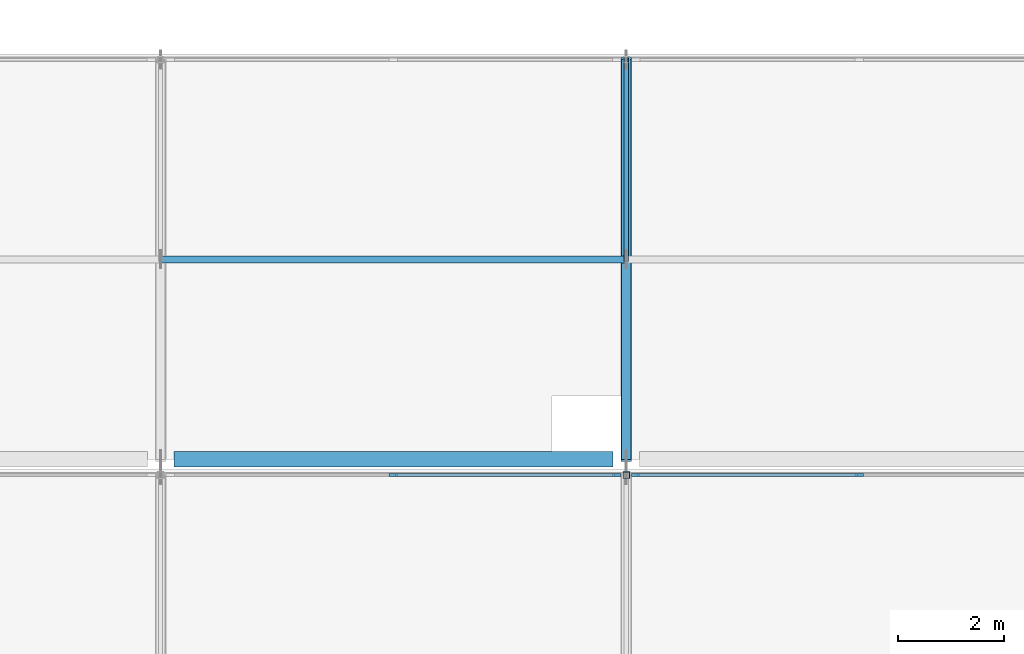
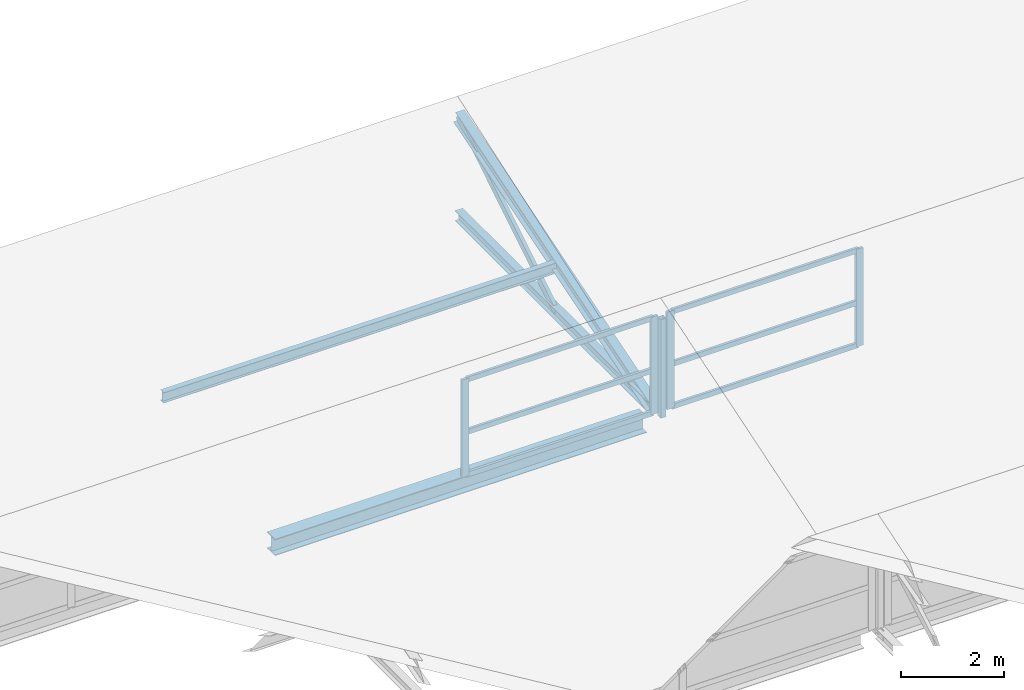
# One storey, part 15 of 40: 15 members, 1 beam, 2 elements without a shape of their own.
"""IFC4 building model written with IfcOpenShell, lengths in metres."""

import ifcopenshell
import ifcopenshell.guid

model = None  # the IFC model being written
_history = None  # IfcOwnerHistory: only IFC2X3 demands one
_inside = {}  # id of a spatial element -> (the spatial element, [elements in it])
_under = {}  # id of a project, library or spatial element -> (it, [spatial elements below it])
_declared = {}  # id of a project -> (the project, [libraries it declares])
_typed = {}  # id of a type object -> (the type object, [elements of that type])
_made_of = {}  # id of a material, layer set ... -> (it, [elements and type objects made of it])


def new_model(schema):
    """Start an empty IFC model of exactly this schema.

    Asked for "IFC4X3", IfcOpenShell would pick the latest addendum, in which some entities
    have other attributes; the version numbers below select the first issue.
    IFC2X3 requires an IfcOwnerHistory on every rooted entity: one is made here for all.
    """
    global model, _history
    if schema == "IFC4X3":
        model = ifcopenshell.file(schema_version=(4, 3, 0, 0))
    else:
        model = ifcopenshell.file(schema=schema)
    _inside.clear()
    _under.clear()
    _declared.clear()
    _typed.clear()
    _made_of.clear()
    _history = None
    if model.schema == "IFC2X3":
        org = make("IfcOrganization", Name="unknown")
        user = make(
            "IfcPersonAndOrganization",
            ThePerson=make("IfcPerson", FamilyName="unknown"),
            TheOrganization=org,
        )
        app = make(
            "IfcApplication",
            ApplicationDeveloper=org,
            Version="unknown",
            ApplicationFullName="unknown",
            ApplicationIdentifier="unknown",
        )
        _history = make(
            "IfcOwnerHistory",
            OwningUser=user,
            OwningApplication=app,
            ChangeAction="ADDED",
            CreationDate=0,
        )
    return model


def make(cls, **values):
    """One entity of the class cls with the attributes given. An attribute that is None is left unset."""
    return model.create_entity(
        cls, **{name: value for name, value in values.items() if value is not None}
    )


def rooted(cls, **values):
    """An entity with a GlobalId (a new one), such as an element, a storey or a relation."""
    return make(cls, GlobalId=ifcopenshell.guid.new(), OwnerHistory=_history, **values)


def si_unit(unit_type, name, prefix=None):
    """IfcSIUnit, for example si_unit("LENGTHUNIT", "METRE", prefix="MILLI")."""
    return make("IfcSIUnit", UnitType=unit_type, Prefix=prefix, Name=name)


def assignment(units):
    """IfcUnitAssignment: the units of a project."""
    return None if units is None else make("IfcUnitAssignment", Units=units)


def point(xyz):
    """IfcCartesianPoint."""
    return None if xyz is None else make("IfcCartesianPoint", Coordinates=xyz)


def direction(xyz):
    """IfcDirection."""
    return None if xyz is None else make("IfcDirection", DirectionRatios=xyz)


def frame(location, z_axis=None, x_axis=None):
    """IfcAxis2Placement3D, a coordinate frame: its origin and axes. An axis left out is left unset."""
    return make(
        "IfcAxis2Placement3D",
        Location=point(location),
        Axis=direction(z_axis),
        RefDirection=direction(x_axis),
    )


def frame_2d(location, x_axis=None):
    """IfcAxis2Placement2D, a coordinate frame in the plane: its origin and x axis."""
    return make(
        "IfcAxis2Placement2D", Location=point(location), RefDirection=direction(x_axis)
    )


def origin():
    """The frame at (0, 0, 0) with its axes left unset."""
    return frame((0.0, 0.0, 0.0))


def origin_2d():
    """The frame at (0, 0) in the plane with its x axis left unset."""
    return frame_2d((0.0, 0.0))


def place(relative_to, where):
    """IfcLocalPlacement: puts the frame where relative to a parent placement (None: the world)."""
    return make(
        "IfcLocalPlacement", PlacementRelTo=relative_to, RelativePlacement=where
    )


def context(
    kind, dimensions, precision=None, world=None, true_north=None, identifier=None
):
    """IfcGeometricRepresentationContext, for example the 3D "Model" context."""
    return make(
        "IfcGeometricRepresentationContext",
        ContextIdentifier=identifier,
        ContextType=kind,
        CoordinateSpaceDimension=dimensions,
        Precision=precision,
        WorldCoordinateSystem=world,
        TrueNorth=true_north,
    )


def subcontext(parent, identifier, kind, view, scale=None):
    """IfcGeometricRepresentationSubContext, for example "Body" below "Model"."""
    return make(
        "IfcGeometricRepresentationSubContext",
        ContextIdentifier=identifier,
        ContextType=kind,
        ParentContext=parent,
        TargetScale=scale,
        TargetView=view,
    )


def project(units=None, contexts=None):
    """IfcProject with its units and contexts."""
    return rooted(
        "IfcProject",
        Name="project",
        RepresentationContexts=contexts,
        UnitsInContext=assignment(units),
    )


def spatial(cls, under=None, at=None, **own):
    """A site, building, storey or space (cls), placed at a placement, below another one or the project."""
    s = rooted(cls, ObjectPlacement=at, **own)
    if under is not None:
        _under.setdefault(under.id(), (under, []))[1].append(s)
    return s


def profile(cls, at=None, kind="AREA", **sizes):
    """A parametric profile (cls). Its sizes go by their IFC names, for example OverallWidth=200.0."""
    return make(cls, ProfileType=kind, Position=at, **sizes)


def rectangle(**sizes):
    """IfcRectangleProfileDef."""
    return profile("IfcRectangleProfileDef", **sizes)


def hollow_rectangle(**sizes):
    """IfcRectangleHollowProfileDef."""
    return profile("IfcRectangleHollowProfileDef", **sizes)


def i_section(**sizes):
    """IfcIShapeProfileDef."""
    return profile("IfcIShapeProfileDef", **sizes)


def extrude(swept, where, along, depth):
    """IfcExtrudedAreaSolid: the profile swept, set in the frame where, extruded along a direction by depth."""
    return make(
        "IfcExtrudedAreaSolid",
        SweptArea=swept,
        Position=where,
        ExtrudedDirection=direction(along),
        Depth=depth,
    )


def shape(context_of_items, identifier, shape_type, items):
    """IfcShapeRepresentation: the items that make up one representation, for example the "Body"."""
    return make(
        "IfcShapeRepresentation",
        ContextOfItems=context_of_items,
        RepresentationIdentifier=identifier,
        RepresentationType=shape_type,
        Items=items,
    )


def material(Name=None, Category=None):
    """IfcMaterial."""
    return make("IfcMaterial", Name=Name, Category=Category)


def material_profile(
    of_material, cross_section, Name=None, Category=None, Priority=None
):
    """IfcMaterialProfile: a cross section and its material."""
    return make(
        "IfcMaterialProfile",
        Name=Name,
        Material=of_material,
        Profile=cross_section,
        Priority=Priority,
        Category=Category,
    )


def profile_set(profiles, Name=None, composite=None):
    """IfcMaterialProfileSet."""
    return make(
        "IfcMaterialProfileSet",
        Name=Name,
        MaterialProfiles=profiles,
        CompositeProfile=composite,
    )


def made_of(thing, what):
    """Note that an element or type object is made of a material, layer set ...; save() writes the relation."""
    if what is not None:
        _made_of.setdefault(what.id(), (what, []))[1].append(thing)
    return thing


def type_object(cls, material=None, **own):
    """A type object (cls), such as IfcWallType, which elements share."""
    return made_of(rooted(cls, **own), material)


def element(
    cls,
    number,
    at=None,
    inside=None,
    cuts=None,
    type_object=None,
    material=None,
    context=None,
    identifier="Body",
    shape_type=None,
    held_by="IfcProductDefinitionShape",
    body=None,
    shapes=None,
    **own,
):
    """One element of the class cls, such as IfcWall. Its Tag is "e" and its number.

    at: its placement. inside: the storey or other place that contains it. cuts: it is an
    opening in that element (IfcRelVoidsElement). A single representation is given by context,
    identifier, shape_type and body (its items); several are given by shapes. held_by: the class
    of the entity that holds the representations. save() writes the other relations.
    """
    e = rooted(cls, Tag="e%d" % number, ObjectPlacement=at, **own)
    if body is not None:
        shapes = [shape(context, identifier, shape_type, body)]
    if shapes is not None:
        e.Representation = make(held_by, Representations=shapes)
    if inside is not None:
        _inside.setdefault(inside.id(), (inside, []))[1].append(e)
    if cuts is not None:
        rooted(
            "IfcRelVoidsElement", RelatingBuildingElement=cuts, RelatedOpeningElement=e
        )
    if type_object is not None:
        _typed.setdefault(type_object.id(), (type_object, []))[1].append(e)
    return made_of(e, material)


def aggregate(whole, parts):
    """IfcRelAggregates: a whole, such as a stair, and the parts it consists of."""
    return rooted("IfcRelAggregates", RelatingObject=whole, RelatedObjects=parts)


def save(model, path):
    """Write the relations noted so far, then the file.

    IfcRelAggregates (storeys below a building ...), IfcRelContainedInSpatialStructure (elements
    in a storey), IfcRelDefinesByType, IfcRelAssociatesMaterial and IfcRelDeclares: one each for
    every whole, place, type object, material and project.
    """
    for whole, parts in _under.values():
        aggregate(whole, parts)
    for where, things in _inside.values():
        rooted(
            "IfcRelContainedInSpatialStructure",
            RelatedElements=things,
            RelatingStructure=where,
        )
    for kind, things in _typed.values():
        rooted("IfcRelDefinesByType", RelatedObjects=things, RelatingType=kind)
    for what, things in _made_of.values():
        rooted("IfcRelAssociatesMaterial", RelatedObjects=things, RelatingMaterial=what)
    for by, libraries in _declared.values():
        rooted("IfcRelDeclares", RelatingContext=by, RelatedDefinitions=libraries)
    model.write(path)


model = new_model("IFC4")

# Units and contexts
model_context = context("Model", 3, precision=1e-05, world=origin(), true_north=direction((0.0, 1.0)))
body_context = subcontext(model_context, "Body", "Model", "MODEL_VIEW")
ifc_project = project(units=[si_unit("LENGTHUNIT", "METRE"), si_unit("AREAUNIT", "SQUARE_METRE"), si_unit("VOLUMEUNIT", "CUBIC_METRE"), si_unit("PLANEANGLEUNIT", "RADIAN"), si_unit("MASSUNIT", "GRAM", prefix="KILO")], contexts=[model_context])

# Site, building, storey
site_placement = place(None, origin())
site = spatial("IfcSite", under=ifc_project, at=site_placement, CompositionType="ELEMENT")
building_placement = place(site_placement, origin())
building = spatial("IfcBuilding", under=site, at=building_placement, Name="Brinegate Botanical Conservatory", CompositionType="ELEMENT")
storey_placement = place(building_placement, frame((0.0, 0.0, 19.199951171875)))
storey = spatial("IfcBuildingStorey", under=building, at=storey_placement, Name="L05", CompositionType="ELEMENT", Elevation=19.199951171875)

# Beam
ifc_material_1 = material(Name="Structural steel Q355B / S355", Category="steel")
ifc_material_profile_1 = material_profile(ifc_material_1, i_section(OverallWidth=0.300048828125, OverallDepth=0.389892578125, WebThickness=0.010009765625, FlangeThickness=0.01611328125, at=origin_2d()), Name="HM 390x300x10x16")
ifc_profile_set_1 = profile_set([ifc_material_profile_1], Name="Structural steel Q355B / S355")
beam_type = type_object("IfcBeamType", Name="Beam_BM-S5", PredefinedType="BEAM", material=ifc_profile_set_1)
beam_placement = place(storey_placement, frame((95.050048828125, 103.60009765625, -0.179931640625), z_axis=(1.0, 0.0, 0.0), x_axis=(0.0, 1.0, 0.0)))
element("IfcBeam", 1, at=beam_placement, inside=storey, type_object=beam_type, Name="Sawtooth valley girder BM-S5 B3.6", PredefinedType="BEAM", context=body_context, shape_type="SweptSolid", body=[
    extrude(i_section(OverallWidth=0.300048828125, OverallDepth=0.389892578125, WebThickness=0.010009765625, FlangeThickness=0.01611328125, at=origin_2d()), origin(), (0.0, 0.0, 1.0), 8.300048828125),
])

# Curtain wall, members
ifc_material_2 = material(Name="Thermally broken anodised aluminium AW-6063-T6", Category="aluminium")
curtain_wall_type = type_object("IfcCurtainWallType", Name="CW_CW-SAW", PredefinedType="USERDEFINED", material=ifc_material_2)
curtain_wall_1_placement = place(storey_placement, origin())
curtain_wall_1 = element("IfcCurtainWall", 2, at=curtain_wall_1_placement, inside=storey, type_object=curtain_wall_type, Name="Sawtooth north-light clerestory B2.6", ObjectType="FACTORY CURTAIN WALL", PredefinedType="USERDEFINED")
ifc_material_profile_2 = material_profile(ifc_material_2, rectangle(XDim=0.06005859375, YDim=0.159912109375, at=origin_2d()), Name="ALUM MULLION 60x160")
ifc_profile_set_2 = profile_set([ifc_material_profile_2], Name="Thermally broken anodised aluminium AW-6063-T6")
member_type_1 = type_object("IfcMemberType", Name="Member_ML-01", PredefinedType="MULLION", material=ifc_profile_set_2)
member_1_placement = place(storey_placement, frame((99.199951171875, 103.300048828125, 0.150146484375), z_axis=(0.0, 0.0, 1.0), x_axis=(0.0, 1.0, 0.0)))
member_1 = element("IfcMember", 3, at=member_1_placement, type_object=member_type_1, Name="CW-SAW mullion 2", PredefinedType="MULLION", context=body_context, shape_type="SweptSolid", body=[
    extrude(rectangle(XDim=0.06005859375, YDim=0.159912109375, at=origin_2d()), origin(), (0.0, 0.0, 1.0), 2.2998046875),
])
member_2_placement = place(storey_placement, frame((103.419921875, 103.300048828125, 0.150146484375), z_axis=(0.0, 0.0, 1.0), x_axis=(0.0, 1.0, 0.0)))
member_2 = element("IfcMember", 4, at=member_2_placement, type_object=member_type_1, Name="CW-SAW mullion 3", PredefinedType="MULLION", context=body_context, shape_type="SweptSolid", body=[
    extrude(rectangle(XDim=0.06005859375, YDim=0.159912109375, at=origin_2d()), origin(), (0.0, 0.0, 1.0), 2.2998046875),
])

curtain_wall_2_placement = place(storey_placement, origin())
curtain_wall_2 = element("IfcCurtainWall", 5, at=curtain_wall_2_placement, inside=storey, type_object=curtain_wall_type, Name="Sawtooth north-light clerestory B2.7", ObjectType="FACTORY CURTAIN WALL", PredefinedType="USERDEFINED")
member_3_placement = place(storey_placement, frame((103.780029296875, 103.300048828125, 0.150146484375), z_axis=(0.0, 0.0, 1.0), x_axis=(0.0, 1.0, 0.0)))
member_3 = element("IfcMember", 6, at=member_3_placement, type_object=member_type_1, Name="CW-SAW mullion 1", PredefinedType="MULLION", context=body_context, shape_type="SweptSolid", body=[
    extrude(rectangle(XDim=0.06005859375, YDim=0.159912109375, at=origin_2d()), origin(), (0.0, 0.0, 1.0), 2.2998046875),
])
member_4_placement = place(storey_placement, frame((108.0, 103.300048828125, 0.150146484375), z_axis=(0.0, 0.0, 1.0), x_axis=(0.0, 1.0, 0.0)))
member_4 = element("IfcMember", 7, at=member_4_placement, type_object=member_type_1, Name="CW-SAW mullion 2", PredefinedType="MULLION", context=body_context, shape_type="SweptSolid", body=[
    extrude(rectangle(XDim=0.06005859375, YDim=0.159912109375, at=origin_2d()), origin(), (0.0, 0.0, 1.0), 2.2998046875),
])

# Members
ifc_material_profile_3 = material_profile(ifc_material_1, hollow_rectangle(XDim=0.080078125, YDim=0.159912109375, WallThickness=0.006103515625, at=origin_2d()), Name="RHS 160x80x6")
ifc_profile_set_3 = profile_set([ifc_material_profile_3], Name="Structural steel Q355B / S355")
member_type_2 = type_object("IfcMemberType", Name="Member_SB-01", PredefinedType="BRACE", material=ifc_profile_set_3)
member_5_placement = place(storey_placement, frame((103.60009765625, 107.375, 0.02001953125), z_axis=(0.0, 0.850947042806, 0.525251492468), x_axis=(-1.0, 0.0, 0.0)))
element("IfcMember", 8, at=member_5_placement, inside=storey, type_object=member_type_2, Name="Sawtooth web diagonal SB-01 B3.T7", PredefinedType="BRACE", context=body_context, shape_type="SweptSolid", body=[
    extrude(hollow_rectangle(XDim=0.080078125, YDim=0.159912109375, WallThickness=0.006103515625, at=origin_2d()), origin(), (0.0, 0.0, 1.0), 4.43603515625),
])
ifc_material_profile_4 = material_profile(ifc_material_1, i_section(OverallWidth=0.199951171875, OverallDepth=0.2939453125, WebThickness=0.008056640625, FlangeThickness=0.011962890625, at=origin_2d()), Name="HM 294x200x8x12")
ifc_profile_set_4 = profile_set([ifc_material_profile_4], Name="Structural steel Q355B / S355")
member_type_3 = type_object("IfcMemberType", Name="Member_SC-01", PredefinedType="CHORD", material=ifc_profile_set_4)
member_6_placement = place(storey_placement, frame((103.60009765625, 103.60009765625, 0.02001953125), z_axis=(0.0, 0.955527457741, 0.294902149032), x_axis=(-1.0, 0.0, 0.0)))
element("IfcMember", 9, at=member_6_placement, inside=storey, type_object=member_type_3, Name="Sawtooth rafter chord SC-01 B3.T7", PredefinedType="CHORD", context=body_context, shape_type="SweptSolid", body=[
    extrude(i_section(OverallWidth=0.199951171875, OverallDepth=0.2939453125, WebThickness=0.008056640625, FlangeThickness=0.011962890625, at=origin_2d()), origin(), (0.0, 0.0, 1.0), 7.901123046875),
])
ifc_material_profile_5 = material_profile(ifc_material_1, i_section(OverallWidth=0.175048828125, OverallDepth=0.243896484375, WebThickness=0.007080078125, FlangeThickness=0.010986328125, at=origin_2d()), Name="HM 244x175x7x11")
ifc_profile_set_5 = profile_set([ifc_material_profile_5], Name="Structural steel Q355B / S355")
member_type_4 = type_object("IfcMemberType", Name="Member_SC-02", PredefinedType="CHORD", material=ifc_profile_set_5)
member_7_placement = place(storey_placement, frame((103.60009765625, 103.60009765625, 0.02001953125), z_axis=(0.0, 1.0, 0.0), x_axis=(-1.0, 0.0, 0.0)))
element("IfcMember", 10, at=member_7_placement, inside=storey, type_object=member_type_4, Name="Sawtooth bottom tie SC-02 B3.T7", PredefinedType="CHORD", context=body_context, shape_type="SweptSolid", body=[
    extrude(i_section(OverallWidth=0.175048828125, OverallDepth=0.243896484375, WebThickness=0.007080078125, FlangeThickness=0.010986328125, at=origin_2d()), origin(), (0.0, 0.0, 1.0), 7.5498046875),
])
ifc_material_profile_6 = material_profile(ifc_material_1, i_section(OverallWidth=0.125, OverallDepth=0.25, WebThickness=0.006103515625, FlangeThickness=0.009033203125, at=origin_2d()), Name="HN 250x125x6x9")
ifc_profile_set_6 = profile_set([ifc_material_profile_6], Name="Structural steel Q355B / S355")
member_type_5 = type_object("IfcMemberType", Name="Member_SPU-01", PredefinedType="PURLIN", material=ifc_profile_set_6)
member_8_placement = place(storey_placement, frame((94.800048828125, 107.375, 1.094970703125), z_axis=(1.0, 0.0, 0.0), x_axis=(0.0, 1.0, 0.0)))
element("IfcMember", 11, at=member_8_placement, inside=storey, type_object=member_type_5, Name="Sawtooth roof purlin SPU-01 B3.6", PredefinedType="PURLIN", context=body_context, shape_type="SweptSolid", body=[
    extrude(i_section(OverallWidth=0.125, OverallDepth=0.25, WebThickness=0.006103515625, FlangeThickness=0.009033203125, at=origin_2d()), origin(), (0.0, 0.0, 1.0), 8.800048828125),
])
ifc_material_profile_7 = material_profile(ifc_material_1, hollow_rectangle(XDim=0.1201171875, YDim=0.1201171875, WallThickness=0.006103515625, at=origin_2d()), Name="SHS 120x120x6")
ifc_profile_set_7 = profile_set([ifc_material_profile_7], Name="Structural steel Q355B / S355")
member_type_6 = type_object("IfcMemberType", Name="Member_SS-01", PredefinedType="STRUT", material=ifc_profile_set_7)
member_9_placement = place(storey_placement, frame((103.60009765625, 103.300048828125, 0.02001953125), z_axis=(0.0, 0.0, 1.0), x_axis=(1.0, 0.0, 0.0)))
element("IfcMember", 12, at=member_9_placement, inside=storey, type_object=member_type_6, Name="Sawtooth north clerestory post SS-01 B2.T7", PredefinedType="STRUT", context=body_context, shape_type="SweptSolid", body=[
    extrude(hollow_rectangle(XDim=0.1201171875, YDim=0.1201171875, WallThickness=0.006103515625, at=origin_2d()), origin(), (0.0, 0.0, 1.0), 2.330078125),
])

# Member
ifc_material_profile_8 = material_profile(ifc_material_2, rectangle(XDim=0.06005859375, YDim=0.1201171875, at=origin_2d()), Name="ALUM TRANSOM 60x120")
ifc_profile_set_8 = profile_set([ifc_material_profile_8], Name="Thermally broken anodised aluminium AW-6063-T6")
member_type_7 = type_object("IfcMemberType", Name="Member_TR-01", PredefinedType="USERDEFINED", material=ifc_profile_set_8)
member_10_placement = place(storey_placement, frame((99.22998046875, 103.300048828125, 0.179931640625), z_axis=(1.0, 0.0, 0.0), x_axis=(0.0, 1.0, 0.0)))
member_10 = element("IfcMember", 13, at=member_10_placement, type_object=member_type_7, Name="CW-SAW transom 2.1", ObjectType="TRANSOM", PredefinedType="USERDEFINED", context=body_context, shape_type="SweptSolid", body=[
    extrude(rectangle(XDim=0.06005859375, YDim=0.1201171875, at=origin_2d()), origin(), (0.0, 0.0, 1.0), 4.159912109375),
])

member_11_placement = place(storey_placement, frame((99.22998046875, 103.300048828125, 1.18505859375), z_axis=(1.0, 0.0, 0.0), x_axis=(0.0, 1.0, 0.0)))
member_11 = element("IfcMember", 14, at=member_11_placement, type_object=member_type_7, Name="CW-SAW transom 2.2", ObjectType="TRANSOM", PredefinedType="USERDEFINED", context=body_context, shape_type="SweptSolid", body=[
    extrude(rectangle(XDim=0.06005859375, YDim=0.1201171875, at=origin_2d()), origin(), (0.0, 0.0, 1.0), 4.159912109375),
])

member_12_placement = place(storey_placement, frame((99.22998046875, 103.300048828125, 2.420166015625), z_axis=(1.0, 0.0, 0.0), x_axis=(0.0, 1.0, 0.0)))
member_12 = element("IfcMember", 15, at=member_12_placement, type_object=member_type_7, Name="CW-SAW transom 2.3", ObjectType="TRANSOM", PredefinedType="USERDEFINED", context=body_context, shape_type="SweptSolid", body=[
    extrude(rectangle(XDim=0.06005859375, YDim=0.1201171875, at=origin_2d()), origin(), (0.0, 0.0, 1.0), 4.159912109375),
])

aggregate(curtain_wall_1, [member_1, member_2, member_10, member_11, member_12])

member_13_placement = place(storey_placement, frame((103.81005859375, 103.300048828125, 0.179931640625), z_axis=(1.0, 0.0, 0.0), x_axis=(0.0, 1.0, 0.0)))
member_13 = element("IfcMember", 16, at=member_13_placement, type_object=member_type_7, Name="CW-SAW transom 1.1", ObjectType="TRANSOM", PredefinedType="USERDEFINED", context=body_context, shape_type="SweptSolid", body=[
    extrude(rectangle(XDim=0.06005859375, YDim=0.1201171875, at=origin_2d()), origin(), (0.0, 0.0, 1.0), 4.159912109375),
])

member_14_placement = place(storey_placement, frame((103.81005859375, 103.300048828125, 1.18505859375), z_axis=(1.0, 0.0, 0.0), x_axis=(0.0, 1.0, 0.0)))
member_14 = element("IfcMember", 17, at=member_14_placement, type_object=member_type_7, Name="CW-SAW transom 1.2", ObjectType="TRANSOM", PredefinedType="USERDEFINED", context=body_context, shape_type="SweptSolid", body=[
    extrude(rectangle(XDim=0.06005859375, YDim=0.1201171875, at=origin_2d()), origin(), (0.0, 0.0, 1.0), 4.159912109375),
])

member_15_placement = place(storey_placement, frame((103.81005859375, 103.300048828125, 2.420166015625), z_axis=(1.0, 0.0, 0.0), x_axis=(0.0, 1.0, 0.0)))
member_15 = element("IfcMember", 18, at=member_15_placement, type_object=member_type_7, Name="CW-SAW transom 1.3", ObjectType="TRANSOM", PredefinedType="USERDEFINED", context=body_context, shape_type="SweptSolid", body=[
    extrude(rectangle(XDim=0.06005859375, YDim=0.1201171875, at=origin_2d()), origin(), (0.0, 0.0, 1.0), 4.159912109375),
])

aggregate(curtain_wall_2, [member_3, member_4, member_13, member_14, member_15])

save(model, "model.ifc")
